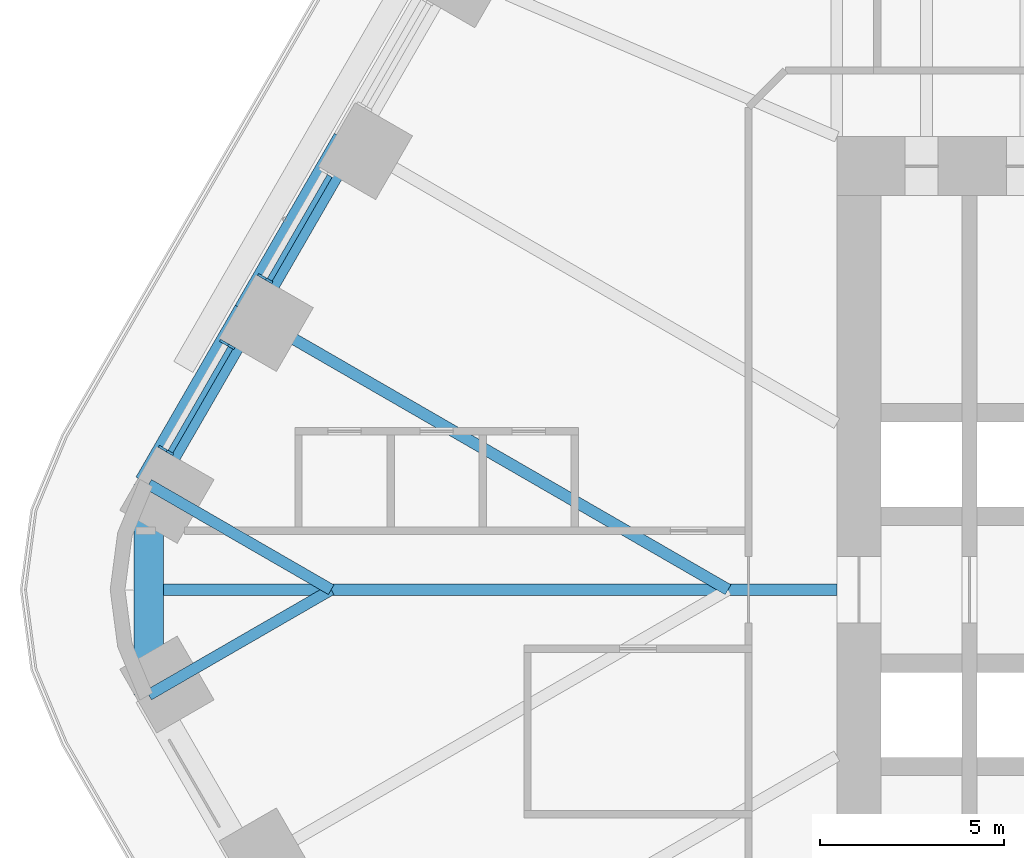
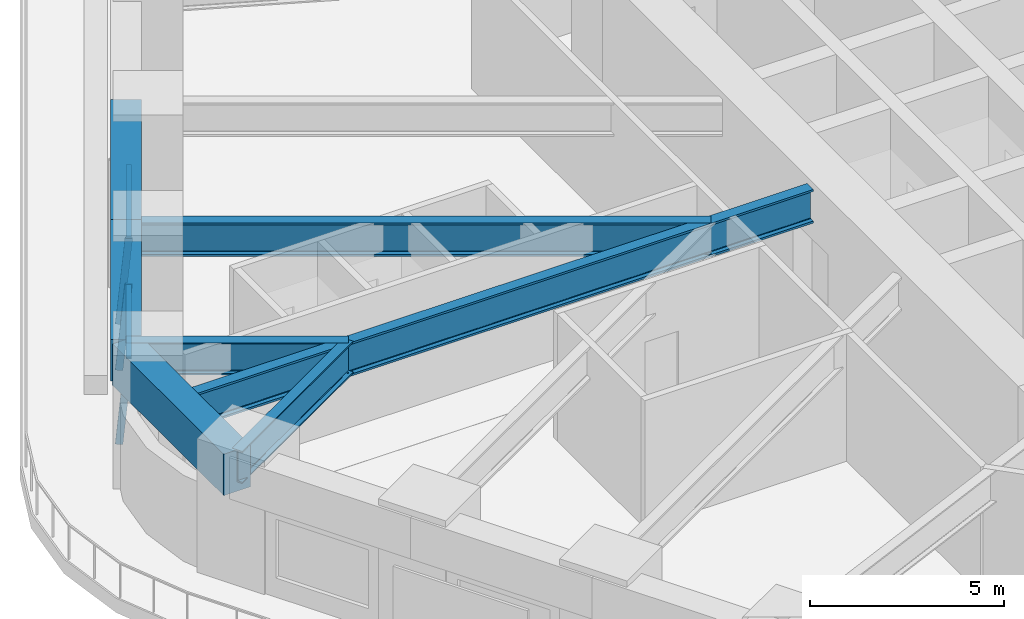
# One storey, part 6 of 23: 7 beams, 5 members, 2 elements without a shape of their own.
"""IFC4 building model written with IfcOpenShell, lengths in metres."""

from ifc_helpers import new_model, si_unit, direction, frame, origin, origin_2d, place, context, subcontext, project, spatial, rectangle, i_section, extrude, material, material_profile, profile_set, type_object, element, aggregate, save


model = new_model("IFC4")

# Units and contexts
model_context = context("Model", 3, precision=1e-05, world=origin(), true_north=direction((0.0, 1.0)))
body_context = subcontext(model_context, "Body", "Model", "MODEL_VIEW")
ifc_project = project(units=[si_unit("LENGTHUNIT", "METRE"), si_unit("AREAUNIT", "SQUARE_METRE"), si_unit("VOLUMEUNIT", "CUBIC_METRE"), si_unit("PLANEANGLEUNIT", "RADIAN"), si_unit("MASSUNIT", "GRAM", prefix="KILO")], contexts=[model_context])

# Site, building, storey
site_placement = place(None, origin())
site = spatial("IfcSite", under=ifc_project, at=site_placement, CompositionType="ELEMENT")
building_placement = place(site_placement, origin())
building = spatial("IfcBuilding", under=site, at=building_placement, Name="Tarfa Lantern Tower", CompositionType="ELEMENT")
storey_placement = place(building_placement, frame((0.0, 0.0, 57.10009765625)))
storey = spatial("IfcBuildingStorey", under=building, at=storey_placement, Name="L12", CompositionType="ELEMENT", Elevation=57.10009765625)

# Curtain wall, member
ifc_material_1 = material(Name="Aluminium framed curtain wall", Category="aluminium")
curtain_wall_type = type_object("IfcCurtainWallType", Name="CW1 CANTED GLAZING LOW ZONE 2700", PredefinedType="USERDEFINED", material=ifc_material_1)
curtain_wall_1_placement = place(storey_placement, origin())
curtain_wall_1 = element("IfcCurtainWall", 1, at=curtain_wall_1_placement, inside=storey, type_object=curtain_wall_type, Name="CW1 NW L12", ObjectType="CURTAIN WALL", PredefinedType="USERDEFINED")
ifc_material_2 = material(Name="Aluminium mullion", Category="aluminium")
ifc_material_profile_1 = material_profile(ifc_material_2, rectangle(XDim=0.06494140625, YDim=0.199951171875, at=origin_2d()), Name="AL MULLION 65x200")
ifc_profile_set_1 = profile_set([ifc_material_profile_1], Name="Aluminium mullion")
member_type_1 = type_object("IfcMemberType", Name="CWM1 MULLION 65x200", PredefinedType="MULLION", material=ifc_profile_set_1)
member_1_placement = place(storey_placement, frame((-34.230712890625, 8.5107421875, 0.0), z_axis=(0.07986442134, -0.046099868913, 0.99573916077), x_axis=(0.499919672301, 0.866071776036, 0.0)))
member_1 = element("IfcMember", 2, at=member_1_placement, type_object=member_type_1, Name="CW1 mullion 2", PredefinedType="MULLION", context=body_context, shape_type="SweptSolid", body=[
    extrude(rectangle(XDim=0.06494140625, YDim=0.199951171875, at=origin_2d()), origin(), (0.0, 0.0, 1.0), 2.71142578125),
])

# Curtain wall, members
curtain_wall_2_placement = place(storey_placement, origin())
curtain_wall_2 = element("IfcCurtainWall", 3, at=curtain_wall_2_placement, inside=storey, type_object=curtain_wall_type, Name="CW1 NW L12", ObjectType="CURTAIN WALL", PredefinedType="USERDEFINED")
member_2_placement = place(storey_placement, frame((-35.26318359375, 6.722412109375, 0.0), z_axis=(0.07986442134, -0.046099868913, 0.99573916077), x_axis=(0.499919672301, 0.866071776036, 0.0)))
member_2 = element("IfcMember", 4, at=member_2_placement, type_object=member_type_1, Name="CW1 mullion 1", PredefinedType="MULLION", context=body_context, shape_type="SweptSolid", body=[
    extrude(rectangle(XDim=0.06494140625, YDim=0.199951171875, at=origin_2d()), origin(), (0.0, 0.0, 1.0), 2.71142578125),
])
member_3_placement = place(storey_placement, frame((-36.9248046875, 3.84423828125, 0.0), z_axis=(0.079774955866, -0.04610020023, 0.995746317068), x_axis=(0.500342721131, 0.865827443207, 0.0)))
member_3 = element("IfcMember", 5, at=member_3_placement, type_object=member_type_1, Name="CW1 mullion 2", PredefinedType="MULLION", context=body_context, shape_type="SweptSolid", body=[
    extrude(rectangle(XDim=0.06494140625, YDim=0.199951171875, at=origin_2d()), origin(), (0.0, 0.0, 1.0), 2.71142578125),
])

# Member
ifc_material_3 = material(Name="Aluminium transom", Category="aluminium")
ifc_material_profile_2 = material_profile(ifc_material_3, rectangle(XDim=0.14990234375, YDim=0.06494140625, at=origin_2d()), Name="AL TRANSOM 150x65")
ifc_profile_set_2 = profile_set([ifc_material_profile_2], Name="Aluminium transom")
member_type_2 = type_object("IfcMemberType", Name="CWT1 TRANSOM 150x65", PredefinedType="USERDEFINED", material=ifc_profile_set_2)
member_4_placement = place(storey_placement, frame((-32.37109375, 11.237548828125, 2.66748046875), z_axis=(-0.500022939057, -0.866012159509, 0.0), x_axis=(0.866012159509, -0.500022939057, 0.0)))
member_4 = element("IfcMember", 6, at=member_4_placement, type_object=member_type_2, Name="CW1 transom 1.2", ObjectType="TRANSOM", PredefinedType="USERDEFINED", context=body_context, shape_type="SweptSolid", body=[
    extrude(rectangle(XDim=0.14990234375, YDim=0.06494140625, at=origin_2d()), origin(), (0.0, 0.0, 1.0), 3.258544921875),
])

aggregate(curtain_wall_1, [member_1, member_4])

member_5_placement = place(storey_placement, frame((-35.0654296875, 6.57080078125, 2.66748046875), z_axis=(-0.500022939057, -0.866012159509, 0.0), x_axis=(0.866012159509, -0.500022939057, 0.0)))
member_5 = element("IfcMember", 7, at=member_5_placement, type_object=member_type_2, Name="CW1 transom 1.2", ObjectType="TRANSOM", PredefinedType="USERDEFINED", context=body_context, shape_type="SweptSolid", body=[
    extrude(rectangle(XDim=0.14990234375, YDim=0.06494140625, at=origin_2d()), origin(), (0.0, 0.0, 1.0), 3.258544921875),
])

aggregate(curtain_wall_2, [member_2, member_3, member_5])

# Beams
ifc_material_4 = material(Name="Concrete C80/95", Category="concrete")
ifc_material_profile_3 = material_profile(ifc_material_4, rectangle(XDim=0.800048828125, YDim=1.300048828125, at=origin_2d()), Name="RC 800x1300")
ifc_profile_set_3 = profile_set([ifc_material_profile_3], Name="Concrete C80/95")
beam_type_1 = type_object("IfcBeamType", Name="EB1 RC 800x1300", PredefinedType="SPANDREL", material=ifc_profile_set_3)
beam_1_placement = place(storey_placement, frame((-31.896728515625, 12.193359375, 3.349853515625), z_axis=(-0.499998287579, -0.866026392449, 0.0), x_axis=(0.866026392449, -0.499998287579, 0.0)))
element("IfcBeam", 8, at=beam_1_placement, inside=storey, type_object=beam_type_1, Name="Edge beam NW4", PredefinedType="SPANDREL", context=body_context, shape_type="SweptSolid", body=[
    extrude(rectangle(XDim=0.800048828125, YDim=1.300048828125, at=origin_2d()), origin(), (0.0, 0.0, 1.0), 5.388671875),
])
beam_2_placement = place(storey_placement, frame((-34.591064453125, 7.526611328125, 3.349853515625), z_axis=(-0.500017906299, -0.866015065331, 0.0), x_axis=(0.866015065331, -0.500017906299, 0.0)))
element("IfcBeam", 9, at=beam_2_placement, inside=storey, type_object=beam_type_1, Name="Edge beam NW5", PredefinedType="SPANDREL", context=body_context, shape_type="SweptSolid", body=[
    extrude(rectangle(XDim=0.800048828125, YDim=1.300048828125, at=origin_2d()), origin(), (0.0, 0.0, 1.0), 5.388427734375),
])
beam_3_placement = place(storey_placement, frame((-37.285400390625, 2.860107421875, 3.349853515625), z_axis=(0.0, -1.0, 0.0), x_axis=(1.0, 0.0, 0.0)))
element("IfcBeam", 10, at=beam_3_placement, inside=storey, type_object=beam_type_1, Name="Edge beam NW6", PredefinedType="SPANDREL", context=body_context, shape_type="SweptSolid", body=[
    extrude(rectangle(XDim=0.800048828125, YDim=1.300048828125, at=origin_2d()), origin(), (0.0, 0.0, 1.0), 5.72021484375),
])
ifc_material_5 = material(Name="Steel S460M", Category="steel")
ifc_material_profile_4 = material_profile(ifc_material_5, i_section(OverallWidth=0.302001953125, OverallDepth=1.008056640625, WebThickness=0.02099609375, FlangeThickness=0.0400390625, FilletRadius=0.030029296875, at=origin_2d()), Name="UB1016x305x349")
ifc_profile_set_4 = profile_set([ifc_material_profile_4], Name="Steel S460M")
beam_type_2 = type_object("IfcBeamType", Name="UB1016x305x349", PredefinedType="BEAM", material=ifc_profile_set_4)
for number, where, z_axis, x_axis, name in (
    (11, (-37.285400390625, 2.860107421875, 3.495849609375), (0.866025668288, -0.499999541866, 0.0), (0.499999541866, 0.866025668288, 0.0), "Floor beam NW6"),
    (12, (-37.285400390625, -2.860107421875, 3.495849609375), (0.866025668288, 0.499999541866, 0.0), (-0.499999541866, 0.866025668288, 0.0), "Floor beam SW0"),
):
    element("IfcBeam", number, at=place(storey_placement, frame(where, z_axis=z_axis, x_axis=x_axis)), inside=storey, type_object=beam_type_2, Name=name, PredefinedType="BEAM", context=body_context, shape_type="SweptSolid", body=[
        extrude(i_section(OverallWidth=0.302001953125, OverallDepth=1.008056640625, WebThickness=0.02099609375, FlangeThickness=0.0400390625, FilletRadius=0.030029296875, at=origin_2d()), origin(), (0.0, 0.0, 1.0), 5.72021484375),
    ])
ifc_material_profile_5 = material_profile(ifc_material_5, i_section(OverallWidth=0.314208984375, OverallDepth=1.055908203125, WebThickness=0.035888671875, FlangeThickness=0.06396484375, FilletRadius=0.030029296875, at=origin_2d()), Name="UB1016x305x584")
ifc_profile_set_5 = profile_set([ifc_material_profile_5], Name="Steel S460M")
beam_type_3 = type_object("IfcBeamType", Name="UB1016x305x584", PredefinedType="BEAM", material=ifc_profile_set_5)
beam_4_placement = place(storey_placement, frame((-18.60009765625, 0.0, 3.471923828125), z_axis=(-1.0, 0.0, 0.0), x_axis=(0.0, -1.0, 0.0)))
element("IfcBeam", 13, at=beam_4_placement, inside=storey, type_object=beam_type_3, Name="Hip girder W", PredefinedType="BEAM", context=body_context, shape_type="SweptSolid", body=[
    extrude(i_section(OverallWidth=0.314208984375, OverallDepth=1.055908203125, WebThickness=0.035888671875, FlangeThickness=0.06396484375, FilletRadius=0.030029296875, at=origin_2d()), origin(), (0.0, 0.0, 1.0), 18.685302734375),
])
beam_5_placement = place(storey_placement, frame((-34.591064453125, 7.526611328125, 3.471923828125), z_axis=(0.86602785945, -0.499995746638, 0.0), x_axis=(0.499995746638, 0.86602785945, 0.0)))
element("IfcBeam", 14, at=beam_5_placement, inside=storey, type_object=beam_type_3, Name="Floor beam NW5", PredefinedType="BEAM", context=body_context, shape_type="SweptSolid", body=[
    extrude(i_section(OverallWidth=0.314208984375, OverallDepth=1.055908203125, WebThickness=0.035888671875, FlangeThickness=0.06396484375, FilletRadius=0.030029296875, at=origin_2d()), origin(), (0.0, 0.0, 1.0), 15.053466796875),
])

save(model, "model.ifc")
